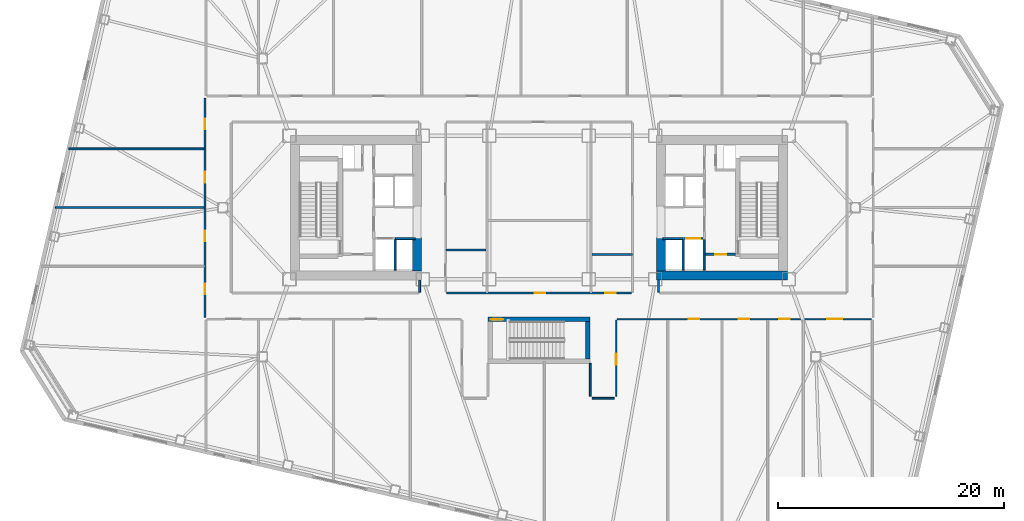
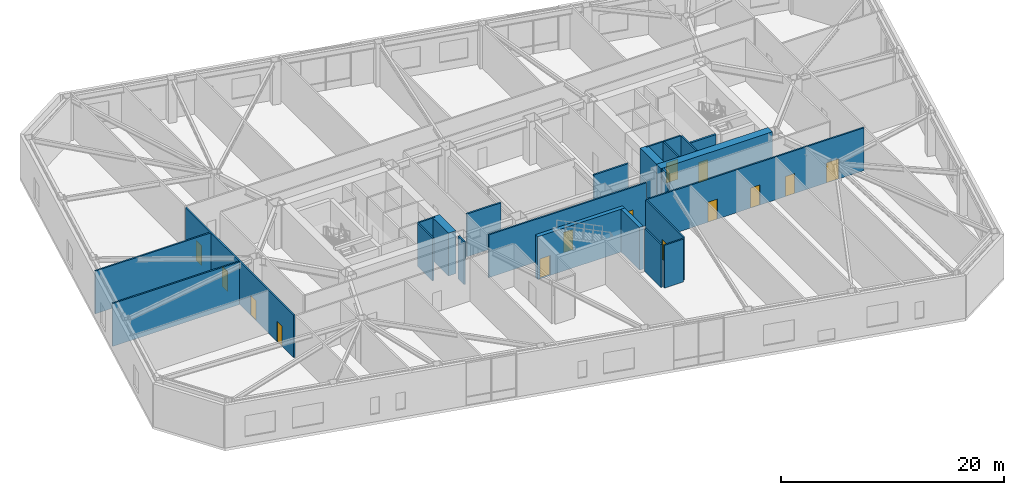
# One storey, part 10 of 20: 24 walls, 14 doors, 14 openings.
"""IFC4 building model written with IfcOpenShell, lengths in metres."""

from ifc_helpers import new_model, si_unit, direction, frame, frame_2d, origin, place, context, subcontext, project, spatial, rectangle, extrude, material, layer, layer_set, type_object, element, fill, save


model = new_model("IFC4")

# Units and contexts
model_context = context("Model", 3, precision=1e-05, world=origin(), true_north=direction((0.0, 1.0)))
body_context = subcontext(model_context, "Body", "Model", "MODEL_VIEW")
ifc_project = project(units=[si_unit("LENGTHUNIT", "METRE"), si_unit("AREAUNIT", "SQUARE_METRE"), si_unit("VOLUMEUNIT", "CUBIC_METRE"), si_unit("PLANEANGLEUNIT", "RADIAN"), si_unit("MASSUNIT", "GRAM", prefix="KILO")], contexts=[model_context])

# Site, building, storey
site_placement = place(None, origin())
site = spatial("IfcSite", under=ifc_project, at=site_placement, CompositionType="ELEMENT")
building_placement = place(site_placement, origin())
building = spatial("IfcBuilding", under=site, at=building_placement, Name="Tavrogorsk Clinical Tower", CompositionType="ELEMENT")
storey_placement = place(building_placement, frame((0.0, 0.0, 18.39990234375)))
storey = spatial("IfcBuildingStorey", under=building, at=storey_placement, Name="L03", CompositionType="ELEMENT", Elevation=18.39990234375)

# Wall, opening, door
ifc_material_1 = material(Name="Concrete B60", Category="concrete")
ifc_layer_1 = layer(ifc_material_1, 0.199951171875)
ifc_layer_set_1 = layer_set([ifc_layer_1], Name="Concrete B60")
wall_type_1 = type_object("IfcWallType", Name="CoreFireWall_200", PredefinedType="SOLIDWALL", material=ifc_layer_set_1)
wall_1_placement = place(storey_placement, frame((14.719970703125, -4.139892578125, 0.0), z_axis=(0.0, 0.0, 1.0), x_axis=(1.0, 0.0, 0.0)))
wall_1 = element("IfcWall", 1, at=wall_1_placement, inside=storey, type_object=wall_type_1, Name="L03 Core East South Core Room Fire Wall", PredefinedType="SOLIDWALL", context=body_context, shape_type="SweptSolid", body=[
    extrude(rectangle(XDim=2.659912109375, YDim=0.199951171875, at=frame_2d((1.330078125, 0.0))), origin(), (0.0, 0.0, 1.0), 4.7001953125),
])
opening_1_placement = place(wall_1_placement, frame((0.8798828125, 0.0, 0.0)))
opening_1 = element("IfcOpeningElement", 2, at=opening_1_placement, cuts=wall_1, Name="Opening ID-02", PredefinedType="OPENING", context=body_context, shape_type="SweptSolid", body=[
    extrude(rectangle(XDim=0.949951171875, YDim=2.199951171875, at=frame_2d((0.47509765625, 1.10009765625))), frame((0.0, 0.10986328125, 0.0), z_axis=(0.0, -1.0, 0.0), x_axis=(1.0, 0.0, 0.0)), (0.0, 0.0, 1.0), 0.219970703125),
])
ifc_material_2 = material(Name="Laminated timber leaf on aluminium frame", Category="wood")
door_type_1 = type_object("IfcDoorType", Name="InteriorDoor_ID02_950", OperationType="NOTDEFINED", PredefinedType="DOOR", material=ifc_material_2)
door_1_placement = place(opening_1_placement, origin())
door_1 = element("IfcDoor", 3, at=door_1_placement, inside=storey, type_object=door_type_1, Name="L03 Core East South Core Room Door", OperationType="SINGLE_SWING_RIGHT", OverallHeight=2.199951171875, OverallWidth=0.949951171875, PredefinedType="DOOR", context=body_context, shape_type="SweptSolid", body=[
    extrude(rectangle(XDim=0.949951171875, YDim=2.199951171875, at=frame_2d((0.47509765625, 1.10009765625))), frame((0.0, 0.02490234375, 0.0), z_axis=(0.0, -1.0, 0.0), x_axis=(1.0, 0.0, 0.0)), (0.0, 0.0, 1.0), 0.050048828125),
])
fill(opening_1, door_1)

# Wall, openings, doors
ifc_material_3 = material(Name="Lightweight concrete blockwork B15", Category="masonry")
ifc_layer_2 = layer(ifc_material_3, 0.159912109375)
ifc_layer_set_2 = layer_set([ifc_layer_2], Name="Lightweight concrete blockwork B15")
wall_type_2 = type_object("IfcWallType", Name="PartitionWall_160", PredefinedType="PARTITIONING", material=ifc_layer_set_2)
wall_2_placement = place(storey_placement, frame((-29.580078125, -9.715087890625, 0.0), z_axis=(0.0, 0.0, 1.0), x_axis=(0.0, 1.0, 0.0)))
wall_2 = element("IfcWall", 4, at=wall_2_placement, inside=storey, type_object=wall_type_2, Name="L03 Corridor Partition 01", PredefinedType="PARTITIONING", context=body_context, shape_type="SweptSolid", body=[
    extrude(rectangle(XDim=19.43017578125, YDim=0.159912109375, at=frame_2d((9.715087890625, 0.0))), origin(), (0.0, 0.0, 1.0), 4.7001953125),
])
opening_2_placement = place(wall_2_placement, frame((2.01904296875, 0.0, 0.0)))
opening_2 = element("IfcOpeningElement", 5, at=opening_2_placement, cuts=wall_2, Name="Opening ID-02", PredefinedType="OPENING", context=body_context, shape_type="SweptSolid", body=[
    extrude(rectangle(XDim=0.949951171875, YDim=2.199951171875, at=frame_2d((0.47509765625, 1.10009765625))), frame((0.0, 0.08984375, 0.0), z_axis=(0.0, -1.0, 0.0), x_axis=(1.0, 0.0, 0.0)), (0.0, 0.0, 1.0), 0.179931640625),
])
opening_3_placement = place(wall_2_placement, frame((6.72509765625, 0.0, 0.0)))
opening_3 = element("IfcOpeningElement", 6, at=opening_3_placement, cuts=wall_2, Name="Opening ID-02", PredefinedType="OPENING", context=body_context, shape_type="SweptSolid", body=[
    extrude(rectangle(XDim=0.949951171875, YDim=2.199951171875, at=frame_2d((0.47509765625, 1.10009765625))), frame((0.0, 0.08984375, 0.0), z_axis=(0.0, -1.0, 0.0), x_axis=(1.0, 0.0, 0.0)), (0.0, 0.0, 1.0), 0.179931640625),
])
opening_4_placement = place(wall_2_placement, frame((11.925048828125, 0.0, 0.0)))
opening_4 = element("IfcOpeningElement", 7, at=opening_4_placement, cuts=wall_2, Name="Opening ID-02", PredefinedType="OPENING", context=body_context, shape_type="SweptSolid", body=[
    extrude(rectangle(XDim=0.949951171875, YDim=2.199951171875, at=frame_2d((0.47509765625, 1.10009765625))), frame((0.0, 0.08984375, 0.0), z_axis=(0.0, -1.0, 0.0), x_axis=(1.0, 0.0, 0.0)), (0.0, 0.0, 1.0), 0.179931640625),
])
opening_5_placement = place(wall_2_placement, frame((16.630859375, 0.0, 0.0)))
opening_5 = element("IfcOpeningElement", 8, at=opening_5_placement, cuts=wall_2, Name="Opening ID-02", PredefinedType="OPENING", context=body_context, shape_type="SweptSolid", body=[
    extrude(rectangle(XDim=0.949951171875, YDim=2.199951171875, at=frame_2d((0.47509765625, 1.10009765625))), frame((0.0, 0.08984375, 0.0), z_axis=(0.0, -1.0, 0.0), x_axis=(1.0, 0.0, 0.0)), (0.0, 0.0, 1.0), 0.179931640625),
])
door_2_placement = place(opening_2_placement, origin())
door_2 = element("IfcDoor", 9, at=door_2_placement, inside=storey, type_object=door_type_1, Name="L03 W Solarium Day Room & Lounge 1 Door", OperationType="SINGLE_SWING_RIGHT", OverallHeight=2.199951171875, OverallWidth=0.949951171875, PredefinedType="DOOR", context=body_context, shape_type="SweptSolid", body=[
    extrude(rectangle(XDim=0.949951171875, YDim=2.199951171875, at=frame_2d((0.47509765625, 1.10009765625))), frame((0.0, 0.02490234375, 0.0), z_axis=(0.0, -1.0, 0.0), x_axis=(1.0, 0.0, 0.0)), (0.0, 0.0, 1.0), 0.050048828125),
])
fill(opening_2, door_2)
door_3_placement = place(opening_3_placement, origin())
door_3 = element("IfcDoor", 10, at=door_3_placement, inside=storey, type_object=door_type_1, Name="L03 W Rehabilitation Therapy Suite 2 Door", OperationType="SINGLE_SWING_LEFT", OverallHeight=2.199951171875, OverallWidth=0.949951171875, PredefinedType="DOOR", context=body_context, shape_type="SweptSolid", body=[
    extrude(rectangle(XDim=0.949951171875, YDim=2.199951171875, at=frame_2d((0.47509765625, 1.10009765625))), frame((0.0, 0.02490234375, 0.0), z_axis=(0.0, -1.0, 0.0), x_axis=(1.0, 0.0, 0.0)), (0.0, 0.0, 1.0), 0.050048828125),
])
fill(opening_3, door_3)
door_4_placement = place(opening_4_placement, origin())
door_4 = element("IfcDoor", 11, at=door_4_placement, inside=storey, type_object=door_type_1, Name="L03 W Sub-Acute Observation Suite 3 Door", OperationType="SINGLE_SWING_RIGHT", OverallHeight=2.199951171875, OverallWidth=0.949951171875, PredefinedType="DOOR", context=body_context, shape_type="SweptSolid", body=[
    extrude(rectangle(XDim=0.949951171875, YDim=2.199951171875, at=frame_2d((0.47509765625, 1.10009765625))), frame((0.0, 0.02490234375, 0.0), z_axis=(0.0, -1.0, 0.0), x_axis=(1.0, 0.0, 0.0)), (0.0, 0.0, 1.0), 0.050048828125),
])
fill(opening_4, door_4)
door_5_placement = place(opening_5_placement, origin())
door_5 = element("IfcDoor", 12, at=door_5_placement, inside=storey, type_object=door_type_1, Name="L03 W Family Consultation Lounge 4 Door", OperationType="SINGLE_SWING_LEFT", OverallHeight=2.199951171875, OverallWidth=0.949951171875, PredefinedType="DOOR", context=body_context, shape_type="SweptSolid", body=[
    extrude(rectangle(XDim=0.949951171875, YDim=2.199951171875, at=frame_2d((0.47509765625, 1.10009765625))), frame((0.0, 0.02490234375, 0.0), z_axis=(0.0, -1.0, 0.0), x_axis=(1.0, 0.0, 0.0)), (0.0, 0.0, 1.0), 0.050048828125),
])
fill(opening_5, door_5)

wall_3_placement = place(storey_placement, frame((29.4150390625, -9.8798828125, 0.0), z_axis=(0.0, 0.0, 1.0), x_axis=(-1.0, 0.0, 0.0)))
wall_3 = element("IfcWall", 13, at=wall_3_placement, inside=storey, type_object=wall_type_2, Name="L03 Corridor Partition 04", PredefinedType="PARTITIONING", context=body_context, shape_type="SweptSolid", body=[
    extrude(rectangle(XDim=22.5, YDim=0.159912109375, at=frame_2d((11.25, 0.0))), origin(), (0.0, 0.0, 1.0), 4.7001953125),
])
opening_6_placement = place(wall_3_placement, frame((15.22509765625, 0.0, 0.0)))
opening_6 = element("IfcOpeningElement", 14, at=opening_6_placement, cuts=wall_3, Name="Opening ID-02", PredefinedType="OPENING", context=body_context, shape_type="SweptSolid", body=[
    extrude(rectangle(XDim=0.949951171875, YDim=2.199951171875, at=frame_2d((0.47509765625, 1.10009765625))), frame((0.0, 0.08984375, 0.0), z_axis=(0.0, -1.0, 0.0), x_axis=(1.0, 0.0, 0.0)), (0.0, 0.0, 1.0), 0.179931640625),
])
opening_7_placement = place(wall_3_placement, frame((10.800048828125, 0.0, 0.0)))
opening_7 = element("IfcOpeningElement", 15, at=opening_7_placement, cuts=wall_3, Name="Opening ID-02", PredefinedType="OPENING", context=body_context, shape_type="SweptSolid", body=[
    extrude(rectangle(XDim=0.949951171875, YDim=2.199951171875, at=frame_2d((0.47509765625, 1.10009765625))), frame((0.0, 0.08984375, 0.0), z_axis=(0.0, -1.0, 0.0), x_axis=(1.0, 0.0, 0.0)), (0.0, 0.0, 1.0), 0.179931640625),
])
opening_8_placement = place(wall_3_placement, frame((7.199951171875, 0.0, 0.0)))
opening_8 = element("IfcOpeningElement", 16, at=opening_8_placement, cuts=wall_3, Name="Opening ID-02", PredefinedType="OPENING", context=body_context, shape_type="SweptSolid", body=[
    extrude(rectangle(XDim=0.949951171875, YDim=2.199951171875, at=frame_2d((0.47509765625, 1.10009765625))), frame((0.0, 0.08984375, 0.0), z_axis=(0.0, -1.0, 0.0), x_axis=(1.0, 0.0, 0.0)), (0.0, 0.0, 1.0), 0.179931640625),
])
opening_9_placement = place(wall_3_placement, frame((2.593994140625, 0.0, 0.0)))
opening_9 = element("IfcOpeningElement", 17, at=opening_9_placement, cuts=wall_3, Name="Opening ID-01", PredefinedType="OPENING", context=body_context, shape_type="SweptSolid", body=[
    extrude(rectangle(XDim=1.300048828125, YDim=2.199951171875, at=frame_2d((0.64990234375, 1.10009765625))), frame((0.0, 0.08984375, 0.0), z_axis=(0.0, -1.0, 0.0), x_axis=(1.0, 0.0, 0.0)), (0.0, 0.0, 1.0), 0.179931640625),
])
door_6_placement = place(opening_6_placement, origin())
door_6 = element("IfcDoor", 18, at=door_6_placement, inside=storey, type_object=door_type_1, Name="L03 South Soiled Theatre Sluice Room 05 Door", OperationType="SINGLE_SWING_RIGHT", OverallHeight=2.199951171875, OverallWidth=0.949951171875, PredefinedType="DOOR", context=body_context, shape_type="SweptSolid", body=[
    extrude(rectangle(XDim=0.949951171875, YDim=2.199951171875, at=frame_2d((0.47509765625, 1.10009765625))), frame((0.0, 0.02490234375, 0.0), z_axis=(0.0, -1.0, 0.0), x_axis=(1.0, 0.0, 0.0)), (0.0, 0.0, 1.0), 0.050048828125),
])
fill(opening_6, door_6)
door_7_placement = place(opening_7_placement, origin())
door_7 = element("IfcDoor", 19, at=door_7_placement, inside=storey, type_object=door_type_1, Name="L03 South Perioperative Charge Office 06A Door", OperationType="SINGLE_SWING_LEFT", OverallHeight=2.199951171875, OverallWidth=0.949951171875, PredefinedType="DOOR", context=body_context, shape_type="SweptSolid", body=[
    extrude(rectangle(XDim=0.949951171875, YDim=2.199951171875, at=frame_2d((0.47509765625, 1.10009765625))), frame((0.0, 0.02490234375, 0.0), z_axis=(0.0, -1.0, 0.0), x_axis=(1.0, 0.0, 0.0)), (0.0, 0.0, 1.0), 0.050048828125),
])
fill(opening_7, door_7)
door_8_placement = place(opening_8_placement, origin())
door_8 = element("IfcDoor", 20, at=door_8_placement, inside=storey, type_object=door_type_1, Name="L03 South Operating Theatre 06B Door", OperationType="SINGLE_SWING_RIGHT", OverallHeight=2.199951171875, OverallWidth=0.949951171875, PredefinedType="DOOR", context=body_context, shape_type="SweptSolid", body=[
    extrude(rectangle(XDim=0.949951171875, YDim=2.199951171875, at=frame_2d((0.47509765625, 1.10009765625))), frame((0.0, 0.02490234375, 0.0), z_axis=(0.0, -1.0, 0.0), x_axis=(1.0, 0.0, 0.0)), (0.0, 0.0, 1.0), 0.050048828125),
])
fill(opening_8, door_8)
ifc_material_4 = material(Name="Antibacterial HPL medical leaf on aluminium frame", Category="aluminium")
door_type_2 = type_object("IfcDoorType", Name="WardBedDoor_ID01_1300", OperationType="NOTDEFINED", PredefinedType="DOOR", material=ifc_material_4)
door_9_placement = place(opening_9_placement, origin())
door_9 = element("IfcDoor", 21, at=door_9_placement, inside=storey, type_object=door_type_2, Name="L03 South Surgical Post-Anaesthesia Recovery 07 Door", OperationType="SINGLE_SWING_LEFT", OverallHeight=2.199951171875, OverallWidth=1.300048828125, PredefinedType="DOOR", context=body_context, shape_type="SweptSolid", body=[
    extrude(rectangle(XDim=1.300048828125, YDim=2.199951171875, at=frame_2d((0.64990234375, 1.10009765625))), frame((0.0, 0.02490234375, 0.0), z_axis=(0.0, -1.0, 0.0), x_axis=(1.0, 0.0, 0.0)), (0.0, 0.0, 1.0), 0.050048828125),
])
fill(opening_9, door_9)

# Wall, opening, door
wall_4_placement = place(storey_placement, frame((6.830078125, -9.965087890625, 0.0), z_axis=(0.0, 0.0, 1.0), x_axis=(0.0, -1.0, 0.0)))
wall_4 = element("IfcWall", 22, at=wall_4_placement, inside=storey, type_object=wall_type_2, Name="L03 Corridor Partition 05", PredefinedType="PARTITIONING", context=body_context, shape_type="SweptSolid", body=[
    extrude(rectangle(XDim=6.75, YDim=0.159912109375, at=frame_2d((3.375, 0.0))), origin(), (0.0, 0.0, 1.0), 4.7001953125),
])
opening_10_placement = place(wall_4_placement, frame((2.985107421875, 0.0, 0.0)))
opening_10 = element("IfcOpeningElement", 23, at=opening_10_placement, cuts=wall_4, Name="Opening ID-02", PredefinedType="OPENING", context=body_context, shape_type="SweptSolid", body=[
    extrude(rectangle(XDim=0.949951171875, YDim=2.199951171875, at=frame_2d((0.47509765625, 1.10009765625))), frame((0.0, 0.08984375, 0.0), z_axis=(0.0, -1.0, 0.0), x_axis=(1.0, 0.0, 0.0)), (0.0, 0.0, 1.0), 0.179931640625),
])
door_10_placement = place(opening_10_placement, origin())
door_10 = element("IfcDoor", 24, at=door_10_placement, inside=storey, type_object=door_type_1, Name="L03 South Sterile Theatre Supply Store 04B Door", OperationType="SINGLE_SWING_LEFT", OverallHeight=2.199951171875, OverallWidth=0.949951171875, PredefinedType="DOOR", context=body_context, shape_type="SweptSolid", body=[
    extrude(rectangle(XDim=0.949951171875, YDim=2.199951171875, at=frame_2d((0.47509765625, 1.10009765625))), frame((0.0, 0.02490234375, 0.0), z_axis=(0.0, -1.0, 0.0), x_axis=(1.0, 0.0, 0.0)), (0.0, 0.0, 1.0), 0.050048828125),
])
fill(opening_10, door_10)

# Walls
wall_5_placement = place(storey_placement, frame((6.6650390625, -16.8798828125, 0.0), z_axis=(0.0, 0.0, 1.0), x_axis=(-1.0, 0.0, 0.0)))
element("IfcWall", 25, at=wall_5_placement, inside=storey, type_object=wall_type_2, Name="L03 Corridor Partition 06", PredefinedType="PARTITIONING", context=body_context, shape_type="SweptSolid", body=[
    extrude(rectangle(XDim=1.97998046875, YDim=0.159912109375, at=frame_2d((0.989990234375, 0.0))), origin(), (0.0, 0.0, 1.0), 4.7001953125),
])
wall_6_placement = place(storey_placement, frame((4.52001953125, -16.715087890625, 0.0), z_axis=(0.0, 0.0, 1.0), x_axis=(0.0, 1.0, 0.0)))
element("IfcWall", 26, at=wall_6_placement, inside=storey, type_object=wall_type_2, Name="L03 Corridor Partition 07", PredefinedType="PARTITIONING", context=body_context, shape_type="SweptSolid", body=[
    extrude(rectangle(XDim=2.9150390625, YDim=0.159912109375, at=frame_2d((1.45751953125, 0.0))), origin(), (0.0, 0.0, 1.0), 4.7001953125),
])
wall_7_placement = place(storey_placement, frame((10.580078125, -6.419921875, 0.0), z_axis=(0.0, 0.0, 1.0), x_axis=(0.0, -1.0, 0.0)))
element("IfcWall", 27, at=wall_7_placement, inside=storey, type_object=wall_type_2, Name="L03 Corridor Partition 14", PredefinedType="PARTITIONING", context=body_context, shape_type="SweptSolid", body=[
    extrude(rectangle(XDim=1.065185546875, YDim=0.159912109375, at=frame_2d((0.53271484375, 0.0))), origin(), (0.0, 0.0, 1.0), 4.7001953125),
])

# Wall, openings, doors
wall_8_placement = place(storey_placement, frame((-8.18505859375, -7.570068359375, 0.0), z_axis=(0.0, 0.0, 1.0), x_axis=(1.0, 0.0, 0.0)))
wall_8 = element("IfcWall", 28, at=wall_8_placement, inside=storey, type_object=wall_type_2, Name="L03 Corridor Partition 19", PredefinedType="PARTITIONING", context=body_context, shape_type="SweptSolid", body=[
    extrude(rectangle(XDim=16.3701171875, YDim=0.159912109375, at=frame_2d((8.18505859375, 0.0))), origin(), (0.0, 0.0, 1.0), 4.7001953125),
])
opening_11_placement = place(wall_8_placement, frame((7.794921875, 0.0, 0.0)))
opening_11 = element("IfcOpeningElement", 29, at=opening_11_placement, cuts=wall_8, Name="Opening ID-02", PredefinedType="OPENING", context=body_context, shape_type="SweptSolid", body=[
    extrude(rectangle(XDim=0.949951171875, YDim=2.199951171875, at=frame_2d((0.47509765625, 1.10009765625))), frame((0.0, 0.08984375, 0.0), z_axis=(0.0, -1.0, 0.0), x_axis=(1.0, 0.0, 0.0)), (0.0, 0.0, 1.0), 0.179931640625),
])
opening_12_placement = place(wall_8_placement, frame((14.035888671875, 0.0, 0.0)))
opening_12 = element("IfcOpeningElement", 30, at=opening_12_placement, cuts=wall_8, Name="Opening ID-02", PredefinedType="OPENING", context=body_context, shape_type="SweptSolid", body=[
    extrude(rectangle(XDim=0.949951171875, YDim=2.199951171875, at=frame_2d((0.47509765625, 1.10009765625))), frame((0.0, 0.08984375, 0.0), z_axis=(0.0, -1.0, 0.0), x_axis=(1.0, 0.0, 0.0)), (0.0, 0.0, 1.0), 0.179931640625),
])
door_11_placement = place(opening_11_placement, origin())
door_11 = element("IfcDoor", 31, at=door_11_placement, inside=storey, type_object=door_type_1, Name="L03 Multidisciplinary Conference Room Door", OperationType="SINGLE_SWING_RIGHT", OverallHeight=2.199951171875, OverallWidth=0.949951171875, PredefinedType="DOOR", context=body_context, shape_type="SweptSolid", body=[
    extrude(rectangle(XDim=0.949951171875, YDim=2.199951171875, at=frame_2d((0.47509765625, 1.10009765625))), frame((0.0, 0.02490234375, 0.0), z_axis=(0.0, -1.0, 0.0), x_axis=(1.0, 0.0, 0.0)), (0.0, 0.0, 1.0), 0.050048828125),
])
fill(opening_11, door_11)
door_12_placement = place(opening_12_placement, origin())
door_12 = element("IfcDoor", 32, at=door_12_placement, inside=storey, type_object=door_type_1, Name="L03 Staff & Visitor Accessible WC Door", OperationType="SINGLE_SWING_RIGHT", OverallHeight=2.199951171875, OverallWidth=0.949951171875, PredefinedType="DOOR", context=body_context, shape_type="SweptSolid", body=[
    extrude(rectangle(XDim=0.949951171875, YDim=2.199951171875, at=frame_2d((0.47509765625, 1.10009765625))), frame((0.0, 0.02490234375, 0.0), z_axis=(0.0, -1.0, 0.0), x_axis=(1.0, 0.0, 0.0)), (0.0, 0.0, 1.0), 0.050048828125),
])
fill(opening_12, door_12)

# Walls
wall_9_placement = place(storey_placement, frame((-10.580078125, -7.485107421875, 0.0), z_axis=(0.0, 0.0, 1.0), x_axis=(0.0, 1.0, 0.0)))
element("IfcWall", 33, at=wall_9_placement, inside=storey, type_object=wall_type_2, Name="L03 Corridor Partition 21", PredefinedType="PARTITIONING", context=body_context, shape_type="SweptSolid", body=[
    extrude(rectangle(XDim=1.065185546875, YDim=0.159912109375, at=frame_2d((0.53271484375, 0.0))), origin(), (0.0, 0.0, 1.0), 4.7001953125),
])
wall_10_placement = place(storey_placement, frame((-42.841552734375, 0.0, 0.0), z_axis=(0.0, 0.0, 1.0), x_axis=(1.0, 0.0, 0.0)))
element("IfcWall", 34, at=wall_10_placement, inside=storey, type_object=wall_type_2, Name="L03 W Wing Divider 2", PredefinedType="PARTITIONING", context=body_context, shape_type="SweptSolid", body=[
    extrude(rectangle(XDim=13.176513671875, YDim=0.159912109375, at=frame_2d((6.58837890625, 0.0))), origin(), (0.0, 0.0, 1.0), 4.7001953125),
])
wall_11_placement = place(storey_placement, frame((-41.64111328125, 5.199951171875, 0.0), z_axis=(0.0, 0.0, 1.0), x_axis=(1.0, 0.0, 0.0)))
element("IfcWall", 35, at=wall_11_placement, inside=storey, type_object=wall_type_2, Name="L03 W Wing Divider 3", PredefinedType="PARTITIONING", context=body_context, shape_type="SweptSolid", body=[
    extrude(rectangle(XDim=11.97607421875, YDim=0.159912109375, at=frame_2d((5.988037109375, 0.0))), origin(), (0.0, 0.0, 1.0), 4.7001953125),
])
ifc_material_5 = material(Name="Lightweight concrete blockwork B20", Category="masonry")
ifc_layer_3 = layer(ifc_material_5, 0.179931640625)
ifc_layer_set_3 = layer_set([ifc_layer_3], Name="Lightweight concrete blockwork B20")
wall_type_3 = type_object("IfcWallType", Name="PartitionWall_180", PredefinedType="PARTITIONING", material=ifc_layer_set_3)
for number, where, z_axis, x_axis, name in (
    (36, (-8.264892578125, -3.75, 0.0), (0.0, 0.0, 1.0), (1.0, 0.0, 0.0), "L03 Central Spine Partition 4"),
    (37, (4.695068359375, -4.14990234375, 0.0), (0.0, 0.0, 1.0), (1.0, 0.0, 0.0), "L03 Central Spine Partition 5"),
):
    element("IfcWall", number, at=place(storey_placement, frame(where, z_axis=z_axis, x_axis=x_axis)), inside=storey, type_object=wall_type_3, Name=name, PredefinedType="PARTITIONING", context=body_context, shape_type="SweptSolid", body=[
        extrude(rectangle(XDim=3.56982421875, YDim=0.179931640625, at=frame_2d((1.784912109375, 0.0))), origin(), (0.0, 0.0, 1.0), 4.7001953125),
    ])
ifc_material_6 = material(Name="Lightweight concrete blockwork B25", Category="masonry")
ifc_layer_4 = layer(ifc_material_6, 0.159912109375)
ifc_layer_set_4 = layer_set([ifc_layer_4], Name="Lightweight concrete blockwork B25")
wall_type_4 = type_object("IfcWallType", Name="ShaftWall_160", PredefinedType="PARTITIONING", material=ifc_layer_set_4)
wall_12_placement = place(storey_placement, frame((-12.75, -5.5400390625, 0.0), z_axis=(0.0, 0.0, 1.0), x_axis=(0.0, 1.0, 0.0)))
element("IfcWall", 38, at=wall_12_placement, inside=storey, type_object=wall_type_4, Name="L03 LP-L1 Lift Hoistway Divider Wall", PredefinedType="PARTITIONING", context=body_context, shape_type="SweptSolid", body=[
    extrude(rectangle(XDim=2.699951171875, YDim=0.159912109375, at=frame_2d((1.35009765625, 0.0))), origin(), (0.0, 0.0, 1.0), 4.7001953125),
])
wall_13_placement = place(storey_placement, frame((-12.72998046875, -2.75, 0.0), z_axis=(0.0, 0.0, 1.0), x_axis=(1.0, 0.0, 0.0)))
element("IfcWall", 39, at=wall_13_placement, inside=storey, type_object=wall_type_4, Name="L03 LP-M1 Lift Shaft Portal Wall", PredefinedType="PARTITIONING", context=body_context, shape_type="SweptSolid", body=[
    extrude(rectangle(XDim=1.760009765625, YDim=0.159912109375, at=frame_2d((0.8798828125, 0.0))), origin(), (0.0, 0.0, 1.0), 4.7001953125),
])

# Wall, opening, door
wall_14_placement = place(storey_placement, frame((12.77001953125, -2.75, 0.0), z_axis=(0.0, 0.0, 1.0), x_axis=(1.0, 0.0, 0.0)))
wall_14 = element("IfcWall", 40, at=wall_14_placement, inside=storey, type_object=wall_type_4, Name="L03 LP-L2 Lift Shaft Portal Wall", PredefinedType="PARTITIONING", context=body_context, shape_type="SweptSolid", body=[
    extrude(rectangle(XDim=1.760009765625, YDim=0.159912109375, at=frame_2d((0.8798828125, 0.0))), origin(), (0.0, 0.0, 1.0), 4.7001953125),
])
opening_13_placement = place(wall_14_placement, frame((0.280029296875, 0.0, 0.0)))
opening_13 = element("IfcOpeningElement", 41, at=opening_13_placement, cuts=wall_14, Name="Opening LD", PredefinedType="OPENING", context=body_context, shape_type="SweptSolid", body=[
    extrude(rectangle(XDim=1.199951171875, YDim=2.199951171875, at=frame_2d((0.60009765625, 1.10009765625))), frame((0.0, 0.08984375, 0.0), z_axis=(0.0, -1.0, 0.0), x_axis=(1.0, 0.0, 0.0)), (0.0, 0.0, 1.0), 0.179931640625),
])
ifc_material_7 = material(Name="Brushed stainless steel AISI 304 sliding doors", Category="steel")
door_type_3 = type_object("IfcDoorType", Name="LiftLandingDoor_LD_1200", OperationType="SLIDING_TO_LEFT", PredefinedType="DOOR", material=ifc_material_7)
door_13_placement = place(opening_13_placement, origin())
door_13 = element("IfcDoor", 42, at=door_13_placement, inside=storey, type_object=door_type_3, Name="L03 LP-L2 Sliding Lift Landing Door", OperationType="SLIDING_TO_LEFT", OverallHeight=2.199951171875, OverallWidth=1.199951171875, PredefinedType="DOOR", context=body_context, shape_type="SweptSolid", body=[
    extrude(rectangle(XDim=1.199951171875, YDim=2.199951171875, at=frame_2d((0.60009765625, 1.10009765625))), frame((0.0, 0.02490234375, 0.0), z_axis=(0.0, -1.0, 0.0), x_axis=(1.0, 0.0, 0.0)), (0.0, 0.0, 1.0), 0.050048828125),
])
fill(opening_13, door_13)

# Walls
for number, where, z_axis, x_axis, name in (
    (43, (12.75, -5.5400390625, 0.0), (0.0, 0.0, 1.0), (0.0, 1.0, 0.0), "L03 LP-L2 Lift Hoistway Divider Wall"),
    (44, (14.610107421875, -5.5400390625, 0.0), (0.0, 0.0, 1.0), (0.0, 1.0, 0.0), "L03 LP-L2 Lift Hoistway Outer Cheek Wall"),
):
    element("IfcWall", number, at=place(storey_placement, frame(where, z_axis=z_axis, x_axis=x_axis)), inside=storey, type_object=wall_type_4, Name=name, PredefinedType="PARTITIONING", context=body_context, shape_type="SweptSolid", body=[
        extrude(rectangle(XDim=2.699951171875, YDim=0.159912109375, at=frame_2d((1.35009765625, 0.0))), origin(), (0.0, 0.0, 1.0), 4.7001953125),
    ])
wall_15_placement = place(storey_placement, frame((10.969970703125, -2.75, 0.0), z_axis=(0.0, 0.0, 1.0), x_axis=(1.0, 0.0, 0.0)))
element("IfcWall", 45, at=wall_15_placement, inside=storey, type_object=wall_type_4, Name="L03 LP-M2 Lift Shaft Portal Wall", PredefinedType="PARTITIONING", context=body_context, shape_type="SweptSolid", body=[
    extrude(rectangle(XDim=1.760009765625, YDim=0.159912109375, at=frame_2d((0.8798828125, 0.0))), origin(), (0.0, 0.0, 1.0), 4.7001953125),
])

# Wall, opening, door
ifc_material_8 = material(Name="Concrete B80", Category="concrete")
ifc_layer_5 = layer(ifc_material_8, 0.39990234375)
ifc_layer_set_5 = layer_set([ifc_layer_5], Name="Concrete B80")
wall_type_5 = type_object("IfcWallType", Name="ShearWall_400", PredefinedType="SHEAR", material=ifc_layer_set_5)
wall_16_placement = place(storey_placement, frame((-4.52490234375, -9.89990234375, 0.0), z_axis=(0.0, 0.0, 1.0), x_axis=(1.0, 0.0, 0.0)))
wall_16 = element("IfcWall", 46, at=wall_16_placement, inside=storey, type_object=wall_type_5, Name="L03 Podium Stair North Shaft Wall", PredefinedType="SHEAR", context=body_context, shape_type="SweptSolid", body=[
    extrude(rectangle(XDim=9.0498046875, YDim=0.39990234375, at=frame_2d((4.52490234375, 0.0))), origin(), (0.0, 0.0, 1.0), 4.7001953125),
])
opening_14_placement = place(wall_16_placement, frame((0.25, 0.0, 0.0)))
opening_14 = element("IfcOpeningElement", 47, at=opening_14_placement, cuts=wall_16, Name="Opening SD-01", PredefinedType="OPENING", context=body_context, shape_type="SweptSolid", body=[
    extrude(rectangle(XDim=1.10009765625, YDim=2.199951171875, at=frame_2d((0.550048828125, 1.10009765625))), frame((0.0, 0.2099609375, 0.0), z_axis=(0.0, -1.0, 0.0), x_axis=(1.0, 0.0, 0.0)), (0.0, 0.0, 1.0), 0.419921875),
])
ifc_material_9 = material(Name="Galvanised steel smoke-tight fire door assembly", Category="steel")
door_type_4 = type_object("IfcDoorType", Name="StairFireDoor_SD01_1100", OperationType="NOTDEFINED", PredefinedType="DOOR", material=ifc_material_9)
door_14_placement = place(opening_14_placement, origin())
door_14 = element("IfcDoor", 48, at=door_14_placement, inside=storey, type_object=door_type_4, Name="L03 ST-P Podium Stair Door", OperationType="SINGLE_SWING_LEFT", OverallHeight=2.199951171875, OverallWidth=1.10009765625, PredefinedType="DOOR", context=body_context, shape_type="SweptSolid", body=[
    extrude(rectangle(XDim=1.10009765625, YDim=2.199951171875, at=frame_2d((0.550048828125, 1.10009765625))), frame((0.0, 0.02490234375, 0.0), z_axis=(0.0, -1.0, 0.0), x_axis=(1.0, 0.0, 0.0)), (0.0, 0.0, 1.0), 0.050048828125),
])
fill(opening_14, door_14)

# Walls
wall_17_placement = place(storey_placement, frame((4.324951171875, -13.39990234375, 0.0), z_axis=(0.0, 0.0, 1.0), x_axis=(0.0, 1.0, 0.0)))
element("IfcWall", 49, at=wall_17_placement, inside=storey, type_object=wall_type_5, Name="L03 Podium Stair East Shaft Wall", PredefinedType="SHEAR", context=body_context, shape_type="SweptSolid", body=[
    extrude(rectangle(XDim=3.2998046875, YDim=0.39990234375, at=frame_2d((1.64990234375, 0.0))), origin(), (0.0, 0.0, 1.0), 4.7001953125),
])
ifc_material_10 = material(Name="Concrete B80", Category="concrete")
ifc_layer_6 = layer(ifc_material_10, 0.800048828125)
ifc_layer_set_6 = layer_set([ifc_layer_6], Name="Concrete B80")
wall_type_6 = type_object("IfcWallType", Name="ShearWall_800", PredefinedType="SHEAR", material=ifc_layer_set_6)
wall_18_placement = place(storey_placement, frame((-10.800048828125, -5.60009765625, 0.0), z_axis=(0.0, 0.0, 1.0), x_axis=(0.0, 1.0, 0.0)))
element("IfcWall", 50, at=wall_18_placement, inside=storey, type_object=wall_type_6, Name="L03 Core West Inner South Pier", PredefinedType="SHEAR", context=body_context, shape_type="SweptSolid", body=[
    extrude(rectangle(XDim=2.9501953125, YDim=0.800048828125, at=frame_2d((1.47509765625, 0.0))), origin(), (0.0, 0.0, 1.0), 4.7001953125),
])
wall_19_placement = place(storey_placement, frame((10.39990234375, -6.0, 0.0), z_axis=(0.0, 0.0, 1.0), x_axis=(1.0, 0.0, 0.0)))
element("IfcWall", 51, at=wall_19_placement, inside=storey, type_object=wall_type_6, Name="L03 Core East South Shear Wall", PredefinedType="SHEAR", context=body_context, shape_type="SweptSolid", body=[
    extrude(rectangle(XDim=11.60009765625, YDim=0.800048828125, at=frame_2d((5.800048828125, 0.0))), origin(), (0.0, 0.0, 1.0), 4.7001953125),
])
wall_20_placement = place(storey_placement, frame((10.800048828125, -5.60009765625, 0.0), z_axis=(0.0, 0.0, 1.0), x_axis=(0.0, 1.0, 0.0)))
element("IfcWall", 52, at=wall_20_placement, inside=storey, type_object=wall_type_6, Name="L03 Core East Inner South Pier", PredefinedType="SHEAR", context=body_context, shape_type="SweptSolid", body=[
    extrude(rectangle(XDim=2.9501953125, YDim=0.800048828125, at=frame_2d((1.47509765625, 0.0))), origin(), (0.0, 0.0, 1.0), 4.7001953125),
])

save(model, "model.ifc")
